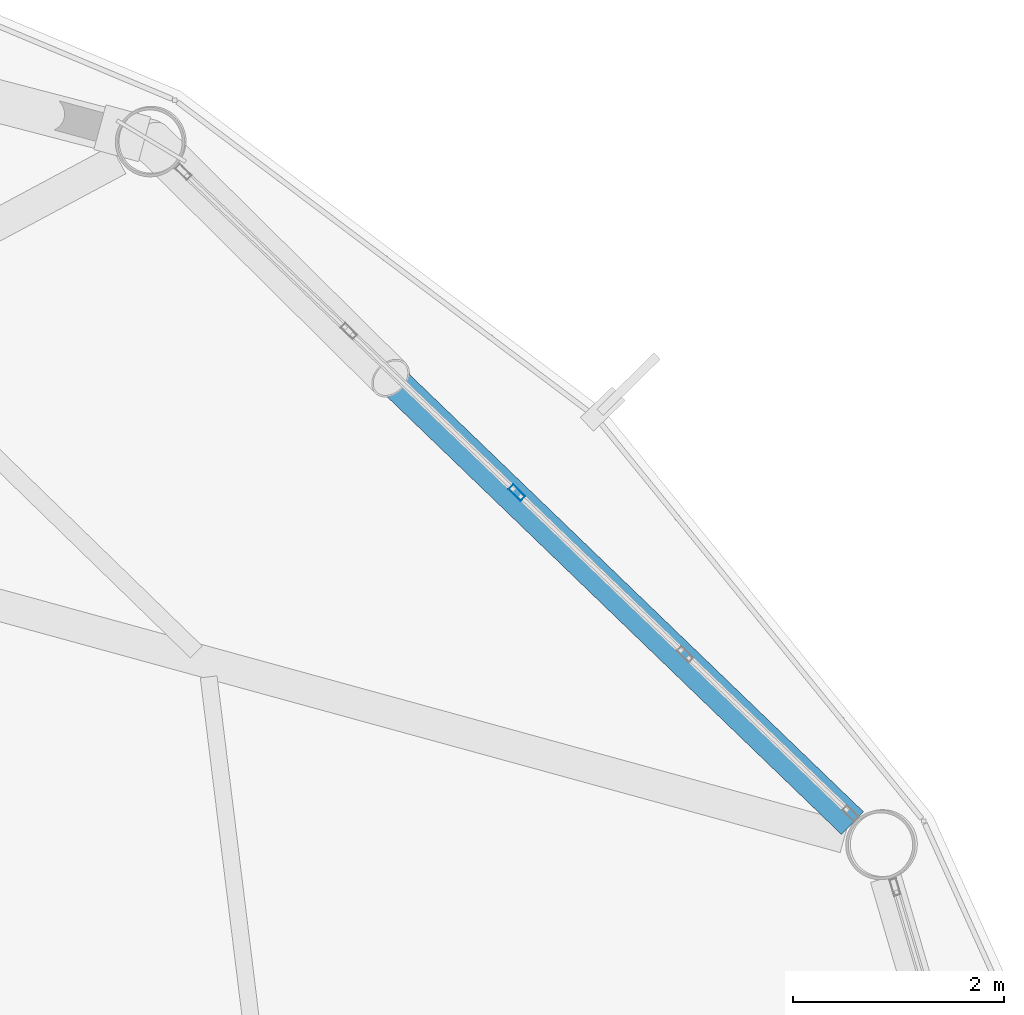
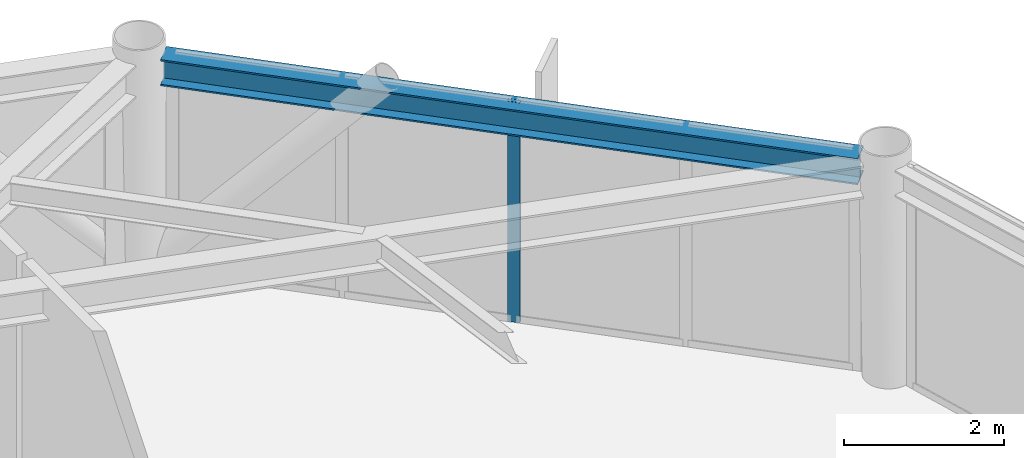
# One storey, part 17 of 28: 1 beam, 1 member, 1 element without a shape of its own.
"""IFC4 building model written with IfcOpenShell, lengths in metres."""

import ifcopenshell
import ifcopenshell.guid

model = None  # the IFC model being written
_history = None  # IfcOwnerHistory: only IFC2X3 demands one
_inside = {}  # id of a spatial element -> (the spatial element, [elements in it])
_under = {}  # id of a project, library or spatial element -> (it, [spatial elements below it])
_declared = {}  # id of a project -> (the project, [libraries it declares])
_typed = {}  # id of a type object -> (the type object, [elements of that type])
_made_of = {}  # id of a material, layer set ... -> (it, [elements and type objects made of it])


def new_model(schema):
    """Start an empty IFC model of exactly this schema.

    Asked for "IFC4X3", IfcOpenShell would pick the latest addendum, in which some entities
    have other attributes; the version numbers below select the first issue.
    IFC2X3 requires an IfcOwnerHistory on every rooted entity: one is made here for all.
    """
    global model, _history
    if schema == "IFC4X3":
        model = ifcopenshell.file(schema_version=(4, 3, 0, 0))
    else:
        model = ifcopenshell.file(schema=schema)
    _inside.clear()
    _under.clear()
    _declared.clear()
    _typed.clear()
    _made_of.clear()
    _history = None
    if model.schema == "IFC2X3":
        org = make("IfcOrganization", Name="unknown")
        user = make(
            "IfcPersonAndOrganization",
            ThePerson=make("IfcPerson", FamilyName="unknown"),
            TheOrganization=org,
        )
        app = make(
            "IfcApplication",
            ApplicationDeveloper=org,
            Version="unknown",
            ApplicationFullName="unknown",
            ApplicationIdentifier="unknown",
        )
        _history = make(
            "IfcOwnerHistory",
            OwningUser=user,
            OwningApplication=app,
            ChangeAction="ADDED",
            CreationDate=0,
        )
    return model


def make(cls, **values):
    """One entity of the class cls with the attributes given. An attribute that is None is left unset."""
    return model.create_entity(
        cls, **{name: value for name, value in values.items() if value is not None}
    )


def rooted(cls, **values):
    """An entity with a GlobalId (a new one), such as an element, a storey or a relation."""
    return make(cls, GlobalId=ifcopenshell.guid.new(), OwnerHistory=_history, **values)


def si_unit(unit_type, name, prefix=None):
    """IfcSIUnit, for example si_unit("LENGTHUNIT", "METRE", prefix="MILLI")."""
    return make("IfcSIUnit", UnitType=unit_type, Prefix=prefix, Name=name)


def assignment(units):
    """IfcUnitAssignment: the units of a project."""
    return None if units is None else make("IfcUnitAssignment", Units=units)


def point(xyz):
    """IfcCartesianPoint."""
    return None if xyz is None else make("IfcCartesianPoint", Coordinates=xyz)


def direction(xyz):
    """IfcDirection."""
    return None if xyz is None else make("IfcDirection", DirectionRatios=xyz)


def frame(location, z_axis=None, x_axis=None):
    """IfcAxis2Placement3D, a coordinate frame: its origin and axes. An axis left out is left unset."""
    return make(
        "IfcAxis2Placement3D",
        Location=point(location),
        Axis=direction(z_axis),
        RefDirection=direction(x_axis),
    )


def frame_2d(location, x_axis=None):
    """IfcAxis2Placement2D, a coordinate frame in the plane: its origin and x axis."""
    return make(
        "IfcAxis2Placement2D", Location=point(location), RefDirection=direction(x_axis)
    )


def origin():
    """The frame at (0, 0, 0) with its axes left unset."""
    return frame((0.0, 0.0, 0.0))


def origin_2d():
    """The frame at (0, 0) in the plane with its x axis left unset."""
    return frame_2d((0.0, 0.0))


def place(relative_to, where):
    """IfcLocalPlacement: puts the frame where relative to a parent placement (None: the world)."""
    return make(
        "IfcLocalPlacement", PlacementRelTo=relative_to, RelativePlacement=where
    )


def context(
    kind, dimensions, precision=None, world=None, true_north=None, identifier=None
):
    """IfcGeometricRepresentationContext, for example the 3D "Model" context."""
    return make(
        "IfcGeometricRepresentationContext",
        ContextIdentifier=identifier,
        ContextType=kind,
        CoordinateSpaceDimension=dimensions,
        Precision=precision,
        WorldCoordinateSystem=world,
        TrueNorth=true_north,
    )


def subcontext(parent, identifier, kind, view, scale=None):
    """IfcGeometricRepresentationSubContext, for example "Body" below "Model"."""
    return make(
        "IfcGeometricRepresentationSubContext",
        ContextIdentifier=identifier,
        ContextType=kind,
        ParentContext=parent,
        TargetScale=scale,
        TargetView=view,
    )


def project(units=None, contexts=None):
    """IfcProject with its units and contexts."""
    return rooted(
        "IfcProject",
        Name="project",
        RepresentationContexts=contexts,
        UnitsInContext=assignment(units),
    )


def spatial(cls, under=None, at=None, **own):
    """A site, building, storey or space (cls), placed at a placement, below another one or the project."""
    s = rooted(cls, ObjectPlacement=at, **own)
    if under is not None:
        _under.setdefault(under.id(), (under, []))[1].append(s)
    return s


def profile(cls, at=None, kind="AREA", **sizes):
    """A parametric profile (cls). Its sizes go by their IFC names, for example OverallWidth=200.0."""
    return make(cls, ProfileType=kind, Position=at, **sizes)


def hollow_rectangle(**sizes):
    """IfcRectangleHollowProfileDef."""
    return profile("IfcRectangleHollowProfileDef", **sizes)


def i_section(**sizes):
    """IfcIShapeProfileDef."""
    return profile("IfcIShapeProfileDef", **sizes)


def extrude(swept, where, along, depth):
    """IfcExtrudedAreaSolid: the profile swept, set in the frame where, extruded along a direction by depth."""
    return make(
        "IfcExtrudedAreaSolid",
        SweptArea=swept,
        Position=where,
        ExtrudedDirection=direction(along),
        Depth=depth,
    )


def shape(context_of_items, identifier, shape_type, items):
    """IfcShapeRepresentation: the items that make up one representation, for example the "Body"."""
    return make(
        "IfcShapeRepresentation",
        ContextOfItems=context_of_items,
        RepresentationIdentifier=identifier,
        RepresentationType=shape_type,
        Items=items,
    )


def material(Name=None, Category=None):
    """IfcMaterial."""
    return make("IfcMaterial", Name=Name, Category=Category)


def layer(
    of_material, thickness, ventilated=None, Name=None, Category=None, Priority=None
):
    """IfcMaterialLayer: one layer of a wall or slab, of a material (None: an air gap)."""
    return make(
        "IfcMaterialLayer",
        Material=of_material,
        LayerThickness=thickness,
        IsVentilated=ventilated,
        Name=Name,
        Category=Category,
        Priority=Priority,
    )


def layer_set(layers, Name=None):
    """IfcMaterialLayerSet."""
    return make("IfcMaterialLayerSet", MaterialLayers=layers, LayerSetName=Name)


def material_profile(
    of_material, cross_section, Name=None, Category=None, Priority=None
):
    """IfcMaterialProfile: a cross section and its material."""
    return make(
        "IfcMaterialProfile",
        Name=Name,
        Material=of_material,
        Profile=cross_section,
        Priority=Priority,
        Category=Category,
    )


def profile_set(profiles, Name=None, composite=None):
    """IfcMaterialProfileSet."""
    return make(
        "IfcMaterialProfileSet",
        Name=Name,
        MaterialProfiles=profiles,
        CompositeProfile=composite,
    )


def made_of(thing, what):
    """Note that an element or type object is made of a material, layer set ...; save() writes the relation."""
    if what is not None:
        _made_of.setdefault(what.id(), (what, []))[1].append(thing)
    return thing


def type_object(cls, material=None, **own):
    """A type object (cls), such as IfcWallType, which elements share."""
    return made_of(rooted(cls, **own), material)


def element(
    cls,
    number,
    at=None,
    inside=None,
    cuts=None,
    type_object=None,
    material=None,
    context=None,
    identifier="Body",
    shape_type=None,
    held_by="IfcProductDefinitionShape",
    body=None,
    shapes=None,
    **own,
):
    """One element of the class cls, such as IfcWall. Its Tag is "e" and its number.

    at: its placement. inside: the storey or other place that contains it. cuts: it is an
    opening in that element (IfcRelVoidsElement). A single representation is given by context,
    identifier, shape_type and body (its items); several are given by shapes. held_by: the class
    of the entity that holds the representations. save() writes the other relations.
    """
    e = rooted(cls, Tag="e%d" % number, ObjectPlacement=at, **own)
    if body is not None:
        shapes = [shape(context, identifier, shape_type, body)]
    if shapes is not None:
        e.Representation = make(held_by, Representations=shapes)
    if inside is not None:
        _inside.setdefault(inside.id(), (inside, []))[1].append(e)
    if cuts is not None:
        rooted(
            "IfcRelVoidsElement", RelatingBuildingElement=cuts, RelatedOpeningElement=e
        )
    if type_object is not None:
        _typed.setdefault(type_object.id(), (type_object, []))[1].append(e)
    return made_of(e, material)


def aggregate(whole, parts):
    """IfcRelAggregates: a whole, such as a stair, and the parts it consists of."""
    return rooted("IfcRelAggregates", RelatingObject=whole, RelatedObjects=parts)


def save(model, path):
    """Write the relations noted so far, then the file.

    IfcRelAggregates (storeys below a building ...), IfcRelContainedInSpatialStructure (elements
    in a storey), IfcRelDefinesByType, IfcRelAssociatesMaterial and IfcRelDeclares: one each for
    every whole, place, type object, material and project.
    """
    for whole, parts in _under.values():
        aggregate(whole, parts)
    for where, things in _inside.values():
        rooted(
            "IfcRelContainedInSpatialStructure",
            RelatedElements=things,
            RelatingStructure=where,
        )
    for kind, things in _typed.values():
        rooted("IfcRelDefinesByType", RelatedObjects=things, RelatingType=kind)
    for what, things in _made_of.values():
        rooted("IfcRelAssociatesMaterial", RelatedObjects=things, RelatingMaterial=what)
    for by, libraries in _declared.values():
        rooted("IfcRelDeclares", RelatingContext=by, RelatedDefinitions=libraries)
    model.write(path)


model = new_model("IFC4")

# Units and contexts
model_context = context("Model", 3, precision=1e-05, world=origin(), true_north=direction((0.0, 1.0)))
body_context = subcontext(model_context, "Body", "Model", "MODEL_VIEW")
ifc_project = project(units=[si_unit("LENGTHUNIT", "METRE"), si_unit("AREAUNIT", "SQUARE_METRE"), si_unit("VOLUMEUNIT", "CUBIC_METRE"), si_unit("PLANEANGLEUNIT", "RADIAN"), si_unit("MASSUNIT", "GRAM", prefix="KILO")], contexts=[model_context])

# Site, building, storey
site_placement = place(None, origin())
site = spatial("IfcSite", under=ifc_project, at=site_placement, CompositionType="ELEMENT")
building_placement = place(site_placement, origin())
building = spatial("IfcBuilding", under=site, at=building_placement, Name="Varnakorn Sky Granary", CompositionType="ELEMENT")
storey_placement = place(building_placement, frame((0.0, 0.0, 214.800048828125)))
storey = spatial("IfcBuildingStorey", under=building, at=storey_placement, Name="L54", CompositionType="ELEMENT", Elevation=214.800048828125)

# Beam
ifc_material_1 = material(Name="Steel S355JR", Category="steel")
ifc_material_profile_1 = material_profile(ifc_material_1, i_section(OverallWidth=0.300048828125, OverallDepth=0.39990234375, WebThickness=0.013427734375, FlangeThickness=0.02392578125, at=origin_2d()), Name="HE 400 B")
ifc_profile_set_1 = profile_set([ifc_material_profile_1], Name="Steel S355JR")
beam_type = type_object("IfcBeamType", Name="BM-SPD-Z4", PredefinedType="SPANDREL", material=ifc_profile_set_1)
beam_placement = place(storey_placement, frame((20.99267578125, 9.322998046875, 3.159912109375), z_axis=(-0.720174244008, 0.693793238846, 0.0), x_axis=(-0.693793238846, -0.720174244008, 0.0)))
element("IfcBeam", 1, at=beam_placement, inside=storey, type_object=beam_type, Name="Perimeter Spandrel Ring Beam RB02 L54", PredefinedType="SPANDREL", context=body_context, shape_type="SweptSolid", body=[
    extrude(i_section(OverallWidth=0.300048828125, OverallDepth=0.39990234375, WebThickness=0.013427734375, FlangeThickness=0.02392578125, at=origin_2d()), origin(), (0.0, 0.0, 1.0), 8.976806640625),
])

# Curtain wall, member
ifc_material_2 = material(Name="Anodised Bronze Aluminium Alloy 6063-T6", Category="aluminium")
ifc_layer = layer(ifc_material_2, 0.169921875, Name="Anodised Bronze Aluminium Alloy 6063-T6")
ifc_layer_set = layer_set([ifc_layer], Name="Anodised Bronze Aluminium Alloy 6063-T6")
curtain_wall_type = type_object("IfcCurtainWallType", Name="CW-LAB-1", PredefinedType="USERDEFINED", material=ifc_layer_set)
curtain_wall_placement = place(storey_placement, origin())
curtain_wall = element("IfcCurtainWall", 2, at=curtain_wall_placement, inside=storey, type_object=curtain_wall_type, Name="Unitised Curtain Wall CW5 CW-L54-B02", ObjectType="CURTAIN WALL", PredefinedType="USERDEFINED")
ifc_material_profile_2 = material_profile(ifc_material_2, hollow_rectangle(XDim=0.06494140625, YDim=0.159912109375, WallThickness=0.00341796875, at=origin_2d()), Name="ALU MULL 65x160")
ifc_profile_set_2 = profile_set([ifc_material_profile_2], Name="Anodised Bronze Aluminium Alloy 6063-T6")
member_type = type_object("IfcMemberType", Name="CW-LAB-1-MULL", PredefinedType="MULLION", material=ifc_profile_set_2)
member_placement = place(storey_placement, frame((17.806640625, 12.45947265625, 0.0), z_axis=(0.0, 0.0, 1.0), x_axis=(0.693140093091, 0.72080289355, 0.0)))
member = element("IfcMember", 3, at=member_placement, type_object=member_type, Name="CW5 mullion 3", PredefinedType="MULLION", context=body_context, shape_type="SweptSolid", body=[
    extrude(hollow_rectangle(XDim=0.06494140625, YDim=0.159912109375, WallThickness=0.00341796875, at=origin_2d()), origin(), (0.0, 0.0, 1.0), 3.35986328125),
])
aggregate(curtain_wall, [member])

save(model, "model.ifc")
